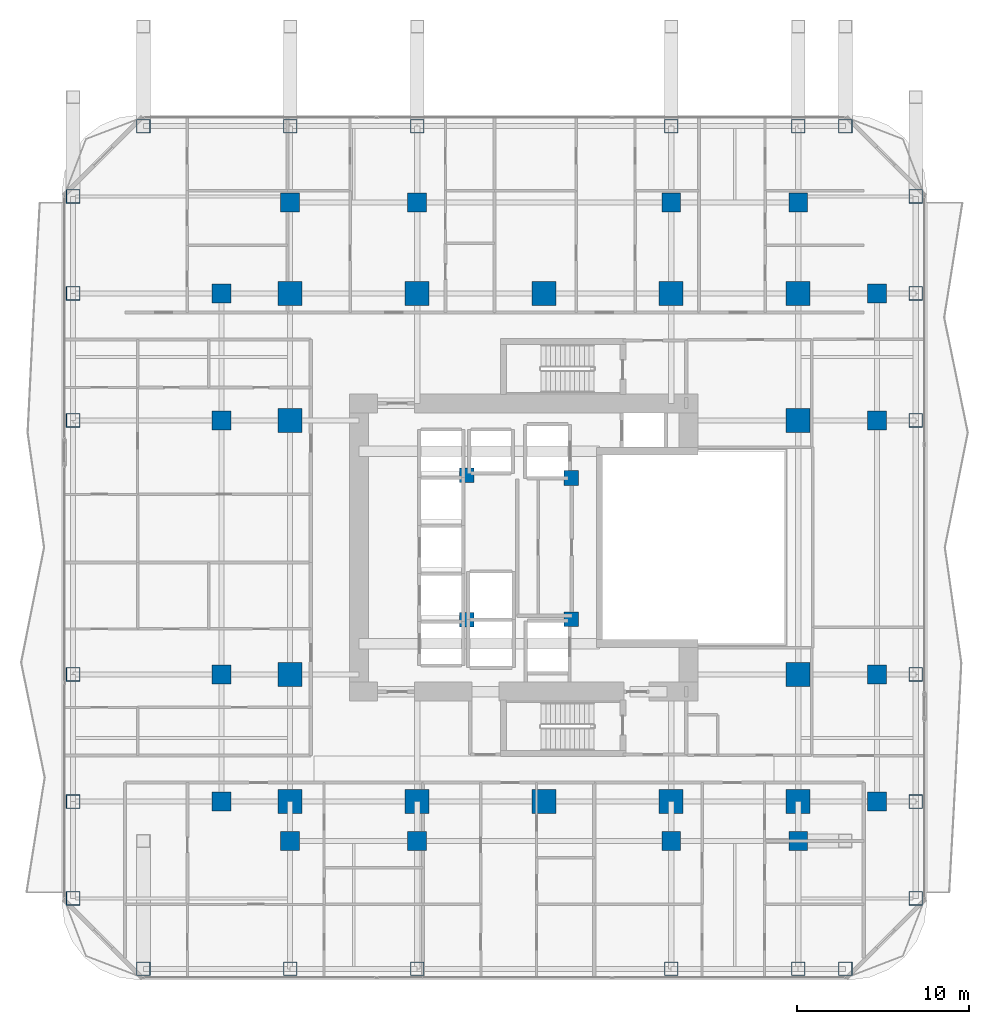
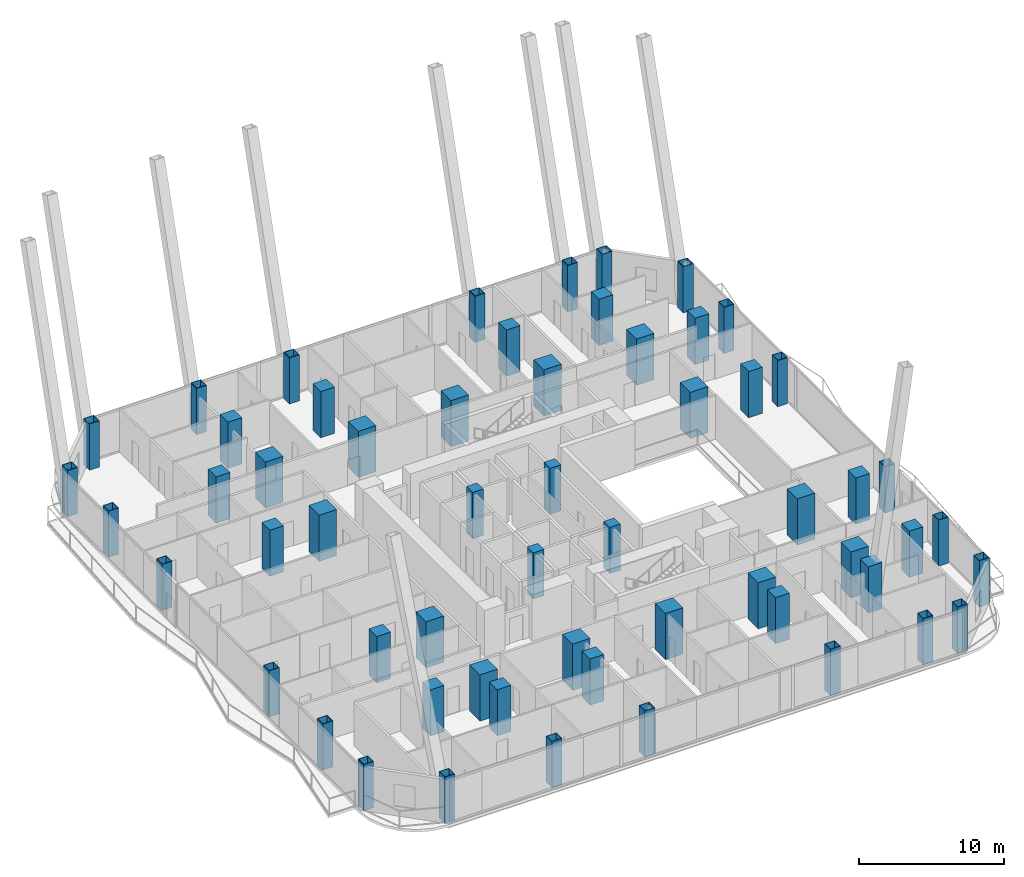
# One storey, part 1 of 33: 58 columns.
"""IFC4 building model written with IfcOpenShell, lengths in metres."""

from ifc_helpers import new_model, si_unit, direction, frame, origin, origin_2d, place, context, subcontext, project, spatial, rectangle, hollow_rectangle, extrude, material, material_profile, profile_set, type_object, element, save


model = new_model("IFC4")

# Units and contexts
model_context = context("Model", 3, precision=1e-05, world=origin(), true_north=direction((0.0, 1.0)))
body_context = subcontext(model_context, "Body", "Model", "MODEL_VIEW")
ifc_project = project(units=[si_unit("LENGTHUNIT", "METRE"), si_unit("AREAUNIT", "SQUARE_METRE"), si_unit("VOLUMEUNIT", "CUBIC_METRE"), si_unit("PLANEANGLEUNIT", "RADIAN"), si_unit("MASSUNIT", "GRAM", prefix="KILO")], contexts=[model_context])

# Site, building, storey
site_placement = place(None, origin())
site = spatial("IfcSite", under=ifc_project, at=site_placement, CompositionType="ELEMENT")
building_placement = place(site_placement, origin())
building = spatial("IfcBuilding", under=site, at=building_placement, Name="Khorvyn Point Tower", CompositionType="ELEMENT")
storey_placement = place(building_placement, frame((0.0, 0.0, 65.699951171875)))
storey = spatial("IfcBuildingStorey", under=building, at=storey_placement, Name="L17", CompositionType="ELEMENT", Elevation=65.699951171875)

# Columns
ifc_material_1 = material(Name="Concrete C40/50", Category="concrete")
ifc_material_profile_1 = material_profile(ifc_material_1, rectangle(XDim=0.85009765625, YDim=0.85009765625, at=origin_2d()))
ifc_profile_set_1 = profile_set([ifc_material_profile_1], Name="Concrete C40/50 RC850x850")
column_type_1 = type_object("IfcColumnType", Name="Concrete C40/50 Column RC850x850", PredefinedType="COLUMN", material=ifc_profile_set_1)
for number, where, z_axis, x_axis, name in (
    (1, (-4.52001953125, -4.199951171875, 0.0), (0.0, 0.0, 1.0), (1.0, 0.0, 0.0), "L17 Crown Core Spine Column 1"),
    (2, (1.580078125, -4.179931640625, 0.0), (0.0, 0.0, 1.0), (1.0, 0.0, 0.0), "L17 Crown Core Spine Column 2"),
    (3, (1.580078125, 4.050048828125, 0.0), (0.0, 0.0, 1.0), (1.0, 0.0, 0.0), "L17 Crown Core Spine Column 3"),
    (4, (-4.52001953125, 4.199951171875, 0.0), (0.0, 0.0, 1.0), (1.0, 0.0, 0.0), "L17 Crown Core Spine Column 4"),
):
    element("IfcColumn", number, at=place(storey_placement, frame(where, z_axis=z_axis, x_axis=x_axis)), inside=storey, type_object=column_type_1, Name=name, PredefinedType="COLUMN", context=body_context, shape_type="SweptSolid", body=[
        extrude(rectangle(XDim=0.85009765625, YDim=0.85009765625, at=origin_2d()), origin(), (0.0, 0.0, 1.0), 3.900146484375),
    ])
ifc_material_2 = material(Name="Concrete C45/55", Category="concrete")
ifc_material_profile_2 = material_profile(ifc_material_2, rectangle(XDim=1.10009765625, YDim=1.10009765625, at=origin_2d()))
ifc_profile_set_2 = profile_set([ifc_material_profile_2], Name="Concrete C45/55 RC1100x1100")
column_type_2 = type_object("IfcColumnType", Name="Concrete C45/55 Column RC1100x1100", PredefinedType="COLUMN", material=ifc_profile_set_2)
for number, where, z_axis, x_axis, name in (
    (5, (-18.800048828125, -14.800048828125, 0.0), (0.0, 0.0, 1.0), (1.0, 0.0, 0.0), "L17 Intermediate Column ICW--14"),
    (6, (-18.800048828125, -7.39990234375, 0.0), (0.0, 0.0, 1.0), (1.0, 0.0, 0.0), "L17 Intermediate Column ICW--7"),
    (7, (-18.800048828125, 7.39990234375, 0.0), (0.0, 0.0, 1.0), (1.0, 0.0, 0.0), "L17 Intermediate Column ICW-7"),
    (8, (-18.800048828125, 14.800048828125, 0.0), (0.0, 0.0, 1.0), (1.0, 0.0, 0.0), "L17 Intermediate Column ICW-14"),
    (9, (19.39990234375, -14.800048828125, 0.0), (0.0, 0.0, 1.0), (1.0, 0.0, 0.0), "L17 Intermediate Column ICE--14"),
    (10, (19.39990234375, -7.39990234375, 0.0), (0.0, 0.0, 1.0), (1.0, 0.0, 0.0), "L17 Intermediate Column ICE--7"),
    (11, (19.39990234375, 7.39990234375, 0.0), (0.0, 0.0, 1.0), (1.0, 0.0, 0.0), "L17 Intermediate Column ICE-7"),
    (12, (19.39990234375, 14.800048828125, 0.0), (0.0, 0.0, 1.0), (1.0, 0.0, 0.0), "L17 Intermediate Column ICE-14"),
    (13, (-14.800048828125, -17.10009765625, 0.0), (0.0, 0.0, 1.0), (1.0, 0.0, 0.0), "L17 Intermediate Column ICS--14"),
    (14, (-7.39990234375, -17.10009765625, 0.0), (0.0, 0.0, 1.0), (1.0, 0.0, 0.0), "L17 Intermediate Column ICS--7"),
    (15, (7.39990234375, -17.10009765625, 0.0), (0.0, 0.0, 1.0), (1.0, 0.0, 0.0), "L17 Intermediate Column ICS-7"),
    (16, (14.800048828125, -17.10009765625, 0.0), (0.0, 0.0, 1.0), (1.0, 0.0, 0.0), "L17 Intermediate Column ICS-14"),
    (17, (-14.800048828125, 20.10009765625, 0.0), (0.0, 0.0, 1.0), (1.0, 0.0, 0.0), "L17 Intermediate Column ICN--14"),
    (18, (-7.39990234375, 20.10009765625, 0.0), (0.0, 0.0, 1.0), (1.0, 0.0, 0.0), "L17 Intermediate Column ICN--7"),
    (19, (7.39990234375, 20.10009765625, 0.0), (0.0, 0.0, 1.0), (1.0, 0.0, 0.0), "L17 Intermediate Column ICN-7"),
    (20, (14.800048828125, 20.10009765625, 0.0), (0.0, 0.0, 1.0), (1.0, 0.0, 0.0), "L17 Intermediate Column ICN-14"),
):
    element("IfcColumn", number, at=place(storey_placement, frame(where, z_axis=z_axis, x_axis=x_axis)), inside=storey, type_object=column_type_2, Name=name, PredefinedType="COLUMN", context=body_context, shape_type="SweptSolid", body=[
        extrude(rectangle(XDim=1.10009765625, YDim=1.10009765625, at=origin_2d()), origin(), (0.0, 0.0, 1.0), 3.900146484375),
    ])
ifc_material_3 = material(Name="Concrete C50/60", Category="concrete")
ifc_material_profile_3 = material_profile(ifc_material_3, rectangle(XDim=1.39990234375, YDim=1.39990234375, at=origin_2d()))
ifc_profile_set_3 = profile_set([ifc_material_profile_3], Name="Concrete C50/60 RC1400x1400")
column_type_3 = type_object("IfcColumnType", Name="Concrete C50/60 Column RC1400x1400", PredefinedType="COLUMN", material=ifc_profile_set_3)
for number, where, z_axis, x_axis, name in (
    (21, (-14.800048828125, -14.800048828125, 0.0), (0.0, 0.0, 1.0), (1.0, 0.0, 0.0), "L17 Mega-Column MC-01"),
    (22, (-7.39990234375, -14.800048828125, 0.0), (0.0, 0.0, 1.0), (1.0, 0.0, 0.0), "L17 Mega-Column MC-02"),
    (23, (0.0, -14.800048828125, 0.0), (0.0, 0.0, 1.0), (1.0, 0.0, 0.0), "L17 Mega-Column MC-03"),
    (24, (7.39990234375, -14.800048828125, 0.0), (0.0, 0.0, 1.0), (1.0, 0.0, 0.0), "L17 Mega-Column MC-04"),
    (25, (14.800048828125, -14.800048828125, 0.0), (0.0, 0.0, 1.0), (1.0, 0.0, 0.0), "L17 Mega-Column MC-05"),
    (26, (-14.800048828125, 14.800048828125, 0.0), (0.0, 0.0, 1.0), (1.0, 0.0, 0.0), "L17 Mega-Column MC-06"),
    (27, (-7.39990234375, 14.800048828125, 0.0), (0.0, 0.0, 1.0), (1.0, 0.0, 0.0), "L17 Mega-Column MC-07"),
    (28, (0.0, 14.800048828125, 0.0), (0.0, 0.0, 1.0), (1.0, 0.0, 0.0), "L17 Mega-Column MC-08"),
    (29, (7.39990234375, 14.800048828125, 0.0), (0.0, 0.0, 1.0), (1.0, 0.0, 0.0), "L17 Mega-Column MC-09"),
    (30, (14.800048828125, 14.800048828125, 0.0), (0.0, 0.0, 1.0), (1.0, 0.0, 0.0), "L17 Mega-Column MC-10"),
    (31, (-14.800048828125, -7.39990234375, 0.0), (0.0, 0.0, 1.0), (1.0, 0.0, 0.0), "L17 Mega-Column MC-11"),
    (32, (-14.800048828125, 7.39990234375, 0.0), (0.0, 0.0, 1.0), (1.0, 0.0, 0.0), "L17 Mega-Column MC-12"),
    (33, (14.800048828125, -7.39990234375, 0.0), (0.0, 0.0, 1.0), (1.0, 0.0, 0.0), "L17 Mega-Column MC-13"),
    (34, (14.800048828125, 7.39990234375, 0.0), (0.0, 0.0, 1.0), (1.0, 0.0, 0.0), "L17 Mega-Column MC-14"),
):
    element("IfcColumn", number, at=place(storey_placement, frame(where, z_axis=z_axis, x_axis=x_axis)), inside=storey, type_object=column_type_3, Name=name, PredefinedType="COLUMN", context=body_context, shape_type="SweptSolid", body=[
        extrude(rectangle(XDim=1.39990234375, YDim=1.39990234375, at=origin_2d()), origin(), (0.0, 0.0, 1.0), 3.900146484375),
    ])
ifc_material_4 = material(Name="Steel S450", Category="steel")
ifc_material_profile_4 = material_profile(ifc_material_4, hollow_rectangle(XDim=0.800048828125, YDim=0.800048828125, WallThickness=0.035888671875, at=origin_2d()))
ifc_profile_set_4 = profile_set([ifc_material_profile_4], Name="Steel S450 BOX800x800x36")
column_type_4 = type_object("IfcColumnType", Name="Steel S450 Structural Column BOX800x800x36", PredefinedType="COLUMN", material=ifc_profile_set_4)
for number, where, z_axis, x_axis, name in (
    (35, (-23.35009765625, -24.550048828125, 0.0), (0.0, 0.0, 1.0), (1.0, 0.0, 0.0), "L17 Perimeter Tube Column TC-01"),
    (36, (17.550048828125, -24.550048828125, 0.0), (0.0, 0.0, 1.0), (1.0, 0.0, 0.0), "L17 Perimeter Tube Column TC-02"),
    (37, (-23.35009765625, 24.550048828125, 0.0), (0.0, 0.0, 1.0), (1.0, 0.0, 0.0), "L17 Perimeter Tube Column TC-03"),
    (38, (17.550048828125, 24.550048828125, 0.0), (0.0, 0.0, 1.0), (1.0, 0.0, 0.0), "L17 Perimeter Tube Column TC-04"),
    (39, (-27.449951171875, -20.449951171875, 0.0), (0.0, 0.0, 1.0), (1.0, 0.0, 0.0), "L17 Perimeter Tube Column TC-05"),
    (40, (-27.449951171875, 20.449951171875, 0.0), (0.0, 0.0, 1.0), (1.0, 0.0, 0.0), "L17 Perimeter Tube Column TC-06"),
    (41, (21.64990234375, -20.449951171875, 0.0), (0.0, 0.0, 1.0), (1.0, 0.0, 0.0), "L17 Perimeter Tube Column TC-07"),
    (42, (21.64990234375, 20.449951171875, 0.0), (0.0, 0.0, 1.0), (1.0, 0.0, 0.0), "L17 Perimeter Tube Column TC-08"),
    (43, (-14.800048828125, -24.550048828125, 0.0), (0.0, 0.0, 1.0), (1.0, 0.0, 0.0), "L17 Perimeter Tube Column TC-09"),
    (44, (-14.800048828125, 24.550048828125, 0.0), (0.0, 0.0, 1.0), (1.0, 0.0, 0.0), "L17 Perimeter Tube Column TC-10"),
    (45, (-7.39990234375, -24.550048828125, 0.0), (0.0, 0.0, 1.0), (1.0, 0.0, 0.0), "L17 Perimeter Tube Column TC-11"),
    (46, (-7.39990234375, 24.550048828125, 0.0), (0.0, 0.0, 1.0), (1.0, 0.0, 0.0), "L17 Perimeter Tube Column TC-12"),
    (47, (7.39990234375, -24.550048828125, 0.0), (0.0, 0.0, 1.0), (1.0, 0.0, 0.0), "L17 Perimeter Tube Column TC-13"),
    (48, (7.39990234375, 24.550048828125, 0.0), (0.0, 0.0, 1.0), (1.0, 0.0, 0.0), "L17 Perimeter Tube Column TC-14"),
    (49, (14.800048828125, -24.550048828125, 0.0), (0.0, 0.0, 1.0), (1.0, 0.0, 0.0), "L17 Perimeter Tube Column TC-15"),
    (50, (14.800048828125, 24.550048828125, 0.0), (0.0, 0.0, 1.0), (1.0, 0.0, 0.0), "L17 Perimeter Tube Column TC-16"),
    (51, (-27.449951171875, -14.800048828125, 0.0), (0.0, 0.0, 1.0), (1.0, 0.0, 0.0), "L17 Perimeter Tube Column TC-17"),
    (52, (21.64990234375, -14.800048828125, 0.0), (0.0, 0.0, 1.0), (1.0, 0.0, 0.0), "L17 Perimeter Tube Column TC-18"),
    (53, (-27.449951171875, -7.39990234375, 0.0), (0.0, 0.0, 1.0), (1.0, 0.0, 0.0), "L17 Perimeter Tube Column TC-19"),
    (54, (21.64990234375, -7.39990234375, 0.0), (0.0, 0.0, 1.0), (1.0, 0.0, 0.0), "L17 Perimeter Tube Column TC-20"),
    (55, (-27.449951171875, 7.39990234375, 0.0), (0.0, 0.0, 1.0), (1.0, 0.0, 0.0), "L17 Perimeter Tube Column TC-21"),
    (56, (21.64990234375, 7.39990234375, 0.0), (0.0, 0.0, 1.0), (1.0, 0.0, 0.0), "L17 Perimeter Tube Column TC-22"),
    (57, (-27.449951171875, 14.800048828125, 0.0), (0.0, 0.0, 1.0), (1.0, 0.0, 0.0), "L17 Perimeter Tube Column TC-23"),
    (58, (21.64990234375, 14.800048828125, 0.0), (0.0, 0.0, 1.0), (1.0, 0.0, 0.0), "L17 Perimeter Tube Column TC-24"),
):
    element("IfcColumn", number, at=place(storey_placement, frame(where, z_axis=z_axis, x_axis=x_axis)), inside=storey, type_object=column_type_4, Name=name, PredefinedType="COLUMN", context=body_context, shape_type="SweptSolid", body=[
        extrude(hollow_rectangle(XDim=0.800048828125, YDim=0.800048828125, WallThickness=0.035888671875, at=origin_2d()), origin(), (0.0, 0.0, 1.0), 3.900146484375),
    ])

save(model, "model.ifc")
